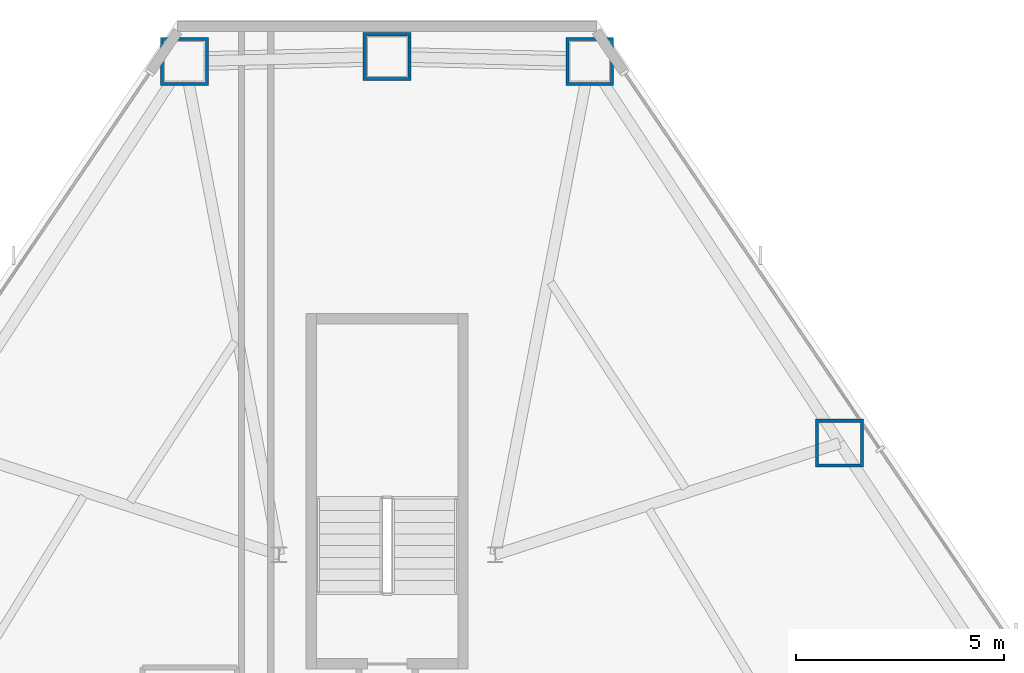
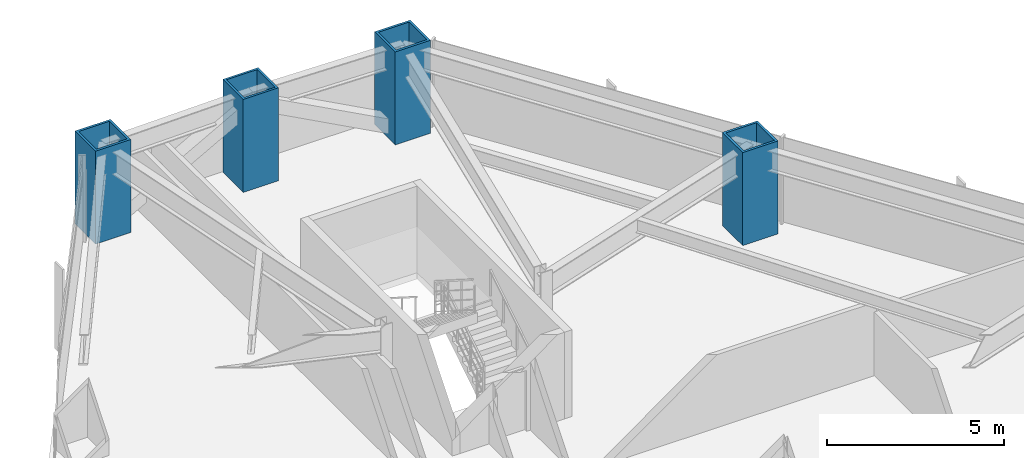
# One storey, part 3 of 12: 4 columns.
"""IFC4 building model written with IfcOpenShell, lengths in metres."""

from ifc_helpers import new_model, si_unit, direction, frame, origin, origin_2d, place, context, subcontext, project, spatial, hollow_rectangle, extrude, material, material_profile, profile_set, type_object, element, save


model = new_model("IFC4")

# Units and contexts
model_context = context("Model", 3, precision=1e-05, world=origin(), true_north=direction((0.0, 1.0)))
body_context = subcontext(model_context, "Body", "Model", "MODEL_VIEW")
ifc_project = project(units=[si_unit("LENGTHUNIT", "METRE"), si_unit("AREAUNIT", "SQUARE_METRE"), si_unit("VOLUMEUNIT", "CUBIC_METRE"), si_unit("PLANEANGLEUNIT", "RADIAN"), si_unit("MASSUNIT", "GRAM", prefix="KILO")], contexts=[model_context])

# Site, building, storey
site_placement = place(None, origin())
site = spatial("IfcSite", under=ifc_project, at=site_placement, CompositionType="ELEMENT")
building_placement = place(site_placement, origin())
building = spatial("IfcBuilding", under=site, at=building_placement, Name="Varakhsha Concourse Tower", CompositionType="ELEMENT")
storey_placement = place(building_placement, frame((0.0, 0.0, 59.199951171875)))
storey = spatial("IfcBuildingStorey", under=building, at=storey_placement, Name="L16", CompositionType="ELEMENT", Elevation=59.199951171875)

# Columns
ifc_material = material(Name="Structural Steel ASTM A572 Grade 50", Category="steel")
ifc_material_profile = material_profile(ifc_material, hollow_rectangle(XDim=1.14990234375, YDim=1.14990234375, WallThickness=0.074951171875, at=origin_2d()), Name="BOX 1150x1150x75")
ifc_profile_set = profile_set([ifc_material_profile], Name="Structural Steel ASTM A572 Grade 50")
column_type = type_object("IfcColumnType", Name="CL-TUBE-1150", PredefinedType="COLUMN", material=ifc_profile_set)
for number, where, z_axis, x_axis, name in (
    (1, (44.87451171875, 53.067626953125, 0.0), (0.0, 0.0, 1.0), (1.0, 0.0, 0.0), "L16 Framed-Tube Column TC01"),
    (2, (40.0, 53.185546875, 0.0), (0.0, 0.0, 1.0), (1.0, 0.0, 0.0), "L16 Framed-Tube Column TC02"),
    (3, (35.12548828125, 53.067626953125, 0.0), (0.0, 0.0, 1.0), (1.0, 0.0, 0.0), "L16 Framed-Tube Column TC03"),
    (4, (50.884033203125, 43.887451171875, 0.0), (0.0, 0.0, 1.0), (1.0, 0.0, 0.0), "L16 Framed-Tube Column TC18"),
):
    element("IfcColumn", number, at=place(storey_placement, frame(where, z_axis=z_axis, x_axis=x_axis)), inside=storey, type_object=column_type, Name=name, PredefinedType="COLUMN", context=body_context, shape_type="SweptSolid", body=[
        extrude(hollow_rectangle(XDim=1.14990234375, YDim=1.14990234375, WallThickness=0.074951171875, at=origin_2d()), origin(), (0.0, 0.0, 1.0), 3.199951171875),
    ])

save(model, "model.ifc")
